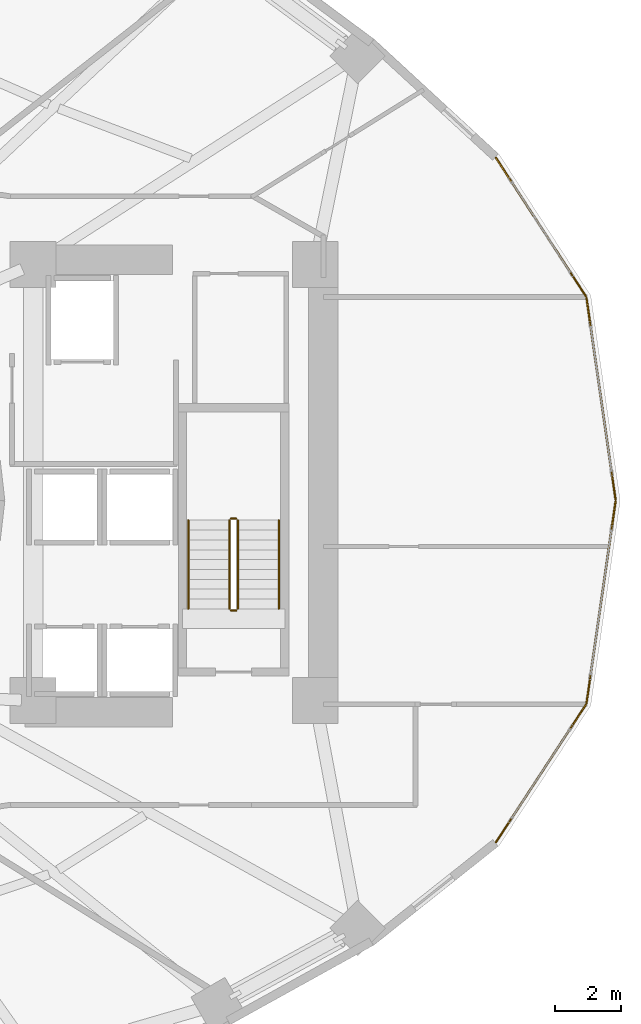
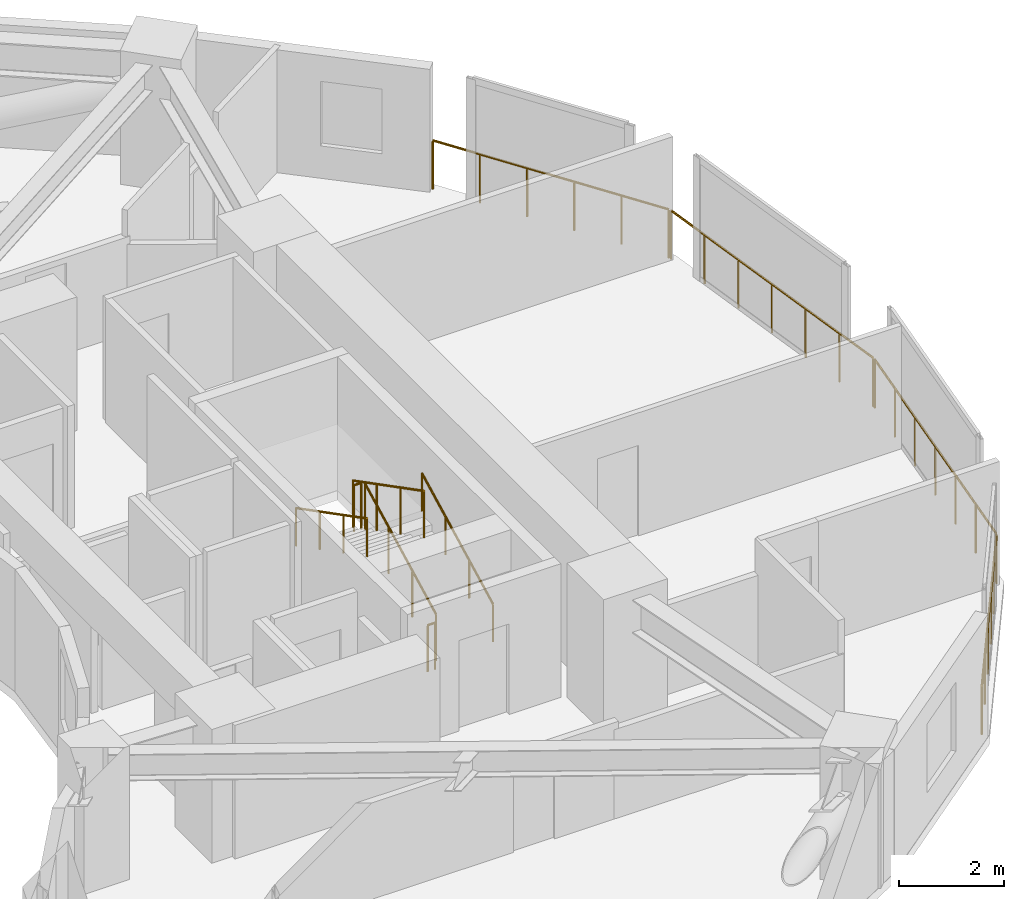
# One storey, part 13 of 14: 10 railings.
"""IFC4 building model written with IfcOpenShell, lengths in metres."""

import ifcopenshell
import ifcopenshell.guid

model = None  # the IFC model being written
_history = None  # IfcOwnerHistory: only IFC2X3 demands one
_inside = {}  # id of a spatial element -> (the spatial element, [elements in it])
_under = {}  # id of a project, library or spatial element -> (it, [spatial elements below it])
_declared = {}  # id of a project -> (the project, [libraries it declares])
_typed = {}  # id of a type object -> (the type object, [elements of that type])
_made_of = {}  # id of a material, layer set ... -> (it, [elements and type objects made of it])


def new_model(schema):
    """Start an empty IFC model of exactly this schema.

    Asked for "IFC4X3", IfcOpenShell would pick the latest addendum, in which some entities
    have other attributes; the version numbers below select the first issue.
    IFC2X3 requires an IfcOwnerHistory on every rooted entity: one is made here for all.
    """
    global model, _history
    if schema == "IFC4X3":
        model = ifcopenshell.file(schema_version=(4, 3, 0, 0))
    else:
        model = ifcopenshell.file(schema=schema)
    _inside.clear()
    _under.clear()
    _declared.clear()
    _typed.clear()
    _made_of.clear()
    _history = None
    if model.schema == "IFC2X3":
        org = make("IfcOrganization", Name="unknown")
        user = make(
            "IfcPersonAndOrganization",
            ThePerson=make("IfcPerson", FamilyName="unknown"),
            TheOrganization=org,
        )
        app = make(
            "IfcApplication",
            ApplicationDeveloper=org,
            Version="unknown",
            ApplicationFullName="unknown",
            ApplicationIdentifier="unknown",
        )
        _history = make(
            "IfcOwnerHistory",
            OwningUser=user,
            OwningApplication=app,
            ChangeAction="ADDED",
            CreationDate=0,
        )
    return model


def make(cls, **values):
    """One entity of the class cls with the attributes given. An attribute that is None is left unset."""
    return model.create_entity(
        cls, **{name: value for name, value in values.items() if value is not None}
    )


def rooted(cls, **values):
    """An entity with a GlobalId (a new one), such as an element, a storey or a relation."""
    return make(cls, GlobalId=ifcopenshell.guid.new(), OwnerHistory=_history, **values)


def si_unit(unit_type, name, prefix=None):
    """IfcSIUnit, for example si_unit("LENGTHUNIT", "METRE", prefix="MILLI")."""
    return make("IfcSIUnit", UnitType=unit_type, Prefix=prefix, Name=name)


def assignment(units):
    """IfcUnitAssignment: the units of a project."""
    return None if units is None else make("IfcUnitAssignment", Units=units)


def point(xyz):
    """IfcCartesianPoint."""
    return None if xyz is None else make("IfcCartesianPoint", Coordinates=xyz)


def direction(xyz):
    """IfcDirection."""
    return None if xyz is None else make("IfcDirection", DirectionRatios=xyz)


def frame(location, z_axis=None, x_axis=None):
    """IfcAxis2Placement3D, a coordinate frame: its origin and axes. An axis left out is left unset."""
    return make(
        "IfcAxis2Placement3D",
        Location=point(location),
        Axis=direction(z_axis),
        RefDirection=direction(x_axis),
    )


def frame_2d(location, x_axis=None):
    """IfcAxis2Placement2D, a coordinate frame in the plane: its origin and x axis."""
    return make(
        "IfcAxis2Placement2D", Location=point(location), RefDirection=direction(x_axis)
    )


def origin():
    """The frame at (0, 0, 0) with its axes left unset."""
    return frame((0.0, 0.0, 0.0))


def origin_2d():
    """The frame at (0, 0) in the plane with its x axis left unset."""
    return frame_2d((0.0, 0.0))


def place(relative_to, where):
    """IfcLocalPlacement: puts the frame where relative to a parent placement (None: the world)."""
    return make(
        "IfcLocalPlacement", PlacementRelTo=relative_to, RelativePlacement=where
    )


def context(
    kind, dimensions, precision=None, world=None, true_north=None, identifier=None
):
    """IfcGeometricRepresentationContext, for example the 3D "Model" context."""
    return make(
        "IfcGeometricRepresentationContext",
        ContextIdentifier=identifier,
        ContextType=kind,
        CoordinateSpaceDimension=dimensions,
        Precision=precision,
        WorldCoordinateSystem=world,
        TrueNorth=true_north,
    )


def subcontext(parent, identifier, kind, view, scale=None):
    """IfcGeometricRepresentationSubContext, for example "Body" below "Model"."""
    return make(
        "IfcGeometricRepresentationSubContext",
        ContextIdentifier=identifier,
        ContextType=kind,
        ParentContext=parent,
        TargetScale=scale,
        TargetView=view,
    )


def project(units=None, contexts=None):
    """IfcProject with its units and contexts."""
    return rooted(
        "IfcProject",
        Name="project",
        RepresentationContexts=contexts,
        UnitsInContext=assignment(units),
    )


def spatial(cls, under=None, at=None, **own):
    """A site, building, storey or space (cls), placed at a placement, below another one or the project."""
    s = rooted(cls, ObjectPlacement=at, **own)
    if under is not None:
        _under.setdefault(under.id(), (under, []))[1].append(s)
    return s


def profile(cls, at=None, kind="AREA", **sizes):
    """A parametric profile (cls). Its sizes go by their IFC names, for example OverallWidth=200.0."""
    return make(cls, ProfileType=kind, Position=at, **sizes)


def circle(**sizes):
    """IfcCircleProfileDef."""
    return profile("IfcCircleProfileDef", **sizes)


def extrude(swept, where, along, depth):
    """IfcExtrudedAreaSolid: the profile swept, set in the frame where, extruded along a direction by depth."""
    return make(
        "IfcExtrudedAreaSolid",
        SweptArea=swept,
        Position=where,
        ExtrudedDirection=direction(along),
        Depth=depth,
    )


def shape(context_of_items, identifier, shape_type, items):
    """IfcShapeRepresentation: the items that make up one representation, for example the "Body"."""
    return make(
        "IfcShapeRepresentation",
        ContextOfItems=context_of_items,
        RepresentationIdentifier=identifier,
        RepresentationType=shape_type,
        Items=items,
    )


def material(Name=None, Category=None):
    """IfcMaterial."""
    return make("IfcMaterial", Name=Name, Category=Category)


def made_of(thing, what):
    """Note that an element or type object is made of a material, layer set ...; save() writes the relation."""
    if what is not None:
        _made_of.setdefault(what.id(), (what, []))[1].append(thing)
    return thing


def type_object(cls, material=None, **own):
    """A type object (cls), such as IfcWallType, which elements share."""
    return made_of(rooted(cls, **own), material)


def element(
    cls,
    number,
    at=None,
    inside=None,
    cuts=None,
    type_object=None,
    material=None,
    context=None,
    identifier="Body",
    shape_type=None,
    held_by="IfcProductDefinitionShape",
    body=None,
    shapes=None,
    **own,
):
    """One element of the class cls, such as IfcWall. Its Tag is "e" and its number.

    at: its placement. inside: the storey or other place that contains it. cuts: it is an
    opening in that element (IfcRelVoidsElement). A single representation is given by context,
    identifier, shape_type and body (its items); several are given by shapes. held_by: the class
    of the entity that holds the representations. save() writes the other relations.
    """
    e = rooted(cls, Tag="e%d" % number, ObjectPlacement=at, **own)
    if body is not None:
        shapes = [shape(context, identifier, shape_type, body)]
    if shapes is not None:
        e.Representation = make(held_by, Representations=shapes)
    if inside is not None:
        _inside.setdefault(inside.id(), (inside, []))[1].append(e)
    if cuts is not None:
        rooted(
            "IfcRelVoidsElement", RelatingBuildingElement=cuts, RelatedOpeningElement=e
        )
    if type_object is not None:
        _typed.setdefault(type_object.id(), (type_object, []))[1].append(e)
    return made_of(e, material)


def aggregate(whole, parts):
    """IfcRelAggregates: a whole, such as a stair, and the parts it consists of."""
    return rooted("IfcRelAggregates", RelatingObject=whole, RelatedObjects=parts)


def save(model, path):
    """Write the relations noted so far, then the file.

    IfcRelAggregates (storeys below a building ...), IfcRelContainedInSpatialStructure (elements
    in a storey), IfcRelDefinesByType, IfcRelAssociatesMaterial and IfcRelDeclares: one each for
    every whole, place, type object, material and project.
    """
    for whole, parts in _under.values():
        aggregate(whole, parts)
    for where, things in _inside.values():
        rooted(
            "IfcRelContainedInSpatialStructure",
            RelatedElements=things,
            RelatingStructure=where,
        )
    for kind, things in _typed.values():
        rooted("IfcRelDefinesByType", RelatedObjects=things, RelatingType=kind)
    for what, things in _made_of.values():
        rooted("IfcRelAssociatesMaterial", RelatedObjects=things, RelatingMaterial=what)
    for by, libraries in _declared.values():
        rooted("IfcRelDeclares", RelatingContext=by, RelatedDefinitions=libraries)
    model.write(path)


model = new_model("IFC4")

# Units and contexts
model_context = context("Model", 3, precision=1e-05, world=origin(), true_north=direction((0.0, 1.0)))
body_context = subcontext(model_context, "Body", "Model", "MODEL_VIEW")
ifc_project = project(units=[si_unit("LENGTHUNIT", "METRE"), si_unit("AREAUNIT", "SQUARE_METRE"), si_unit("VOLUMEUNIT", "CUBIC_METRE"), si_unit("PLANEANGLEUNIT", "RADIAN"), si_unit("MASSUNIT", "GRAM", prefix="KILO")], contexts=[model_context])

# Site, building, storey
site_placement = place(None, origin())
site = spatial("IfcSite", under=ifc_project, at=site_placement, CompositionType="ELEMENT")
building_placement = place(site_placement, origin())
building = spatial("IfcBuilding", under=site, at=building_placement, Name="Solvane Sanctuary Tower", CompositionType="ELEMENT")
storey_placement = place(building_placement, frame((0.0, 0.0, 40.0)))
storey = spatial("IfcBuildingStorey", under=building, at=storey_placement, Name="L11", CompositionType="ELEMENT", Elevation=40.0)

# Railings
ifc_material = material(Name="Architectural Stainless Steel 316", Category="steel")
railing_type_1 = type_object("IfcRailingType", Name="Railing GR-BALC-1150", PredefinedType="BALUSTRADE", material=ifc_material)
railing_1_placement = place(storey_placement, frame((57.855712890625, 23.02978515625, 0.0)))
element("IfcRailing", 1, at=railing_1_placement, inside=storey, type_object=railing_type_1, Name="L11 Curtain-Wall Perimeter Sill Guard 00", PredefinedType="BALUSTRADE", context=body_context, shape_type="SweptSolid", body=[
    extrude(circle(Radius=0.02392578125, at=origin_2d()), frame((0.0, 0.0, 1.1259765625), z_axis=(-0.142533222758, 0.989790018342, 0.0), x_axis=(-0.989790018342, -0.142533222758, 0.0)), (0.0, 0.0, 1.0), 6.209228515625),
    extrude(circle(Radius=0.02099609375, at=origin_2d()), origin(), (0.0, 0.0, 1.0), 1.101806640625),
    extrude(circle(Radius=0.02099609375, at=origin_2d()), frame((-0.1474609375, 1.0244140625, 0.0)), (0.0, 0.0, 1.0), 1.101806640625),
    extrude(circle(Radius=0.02099609375, at=origin_2d()), frame((-0.294921875, 2.048583984375, 0.0)), (0.0, 0.0, 1.0), 1.101806640625),
    extrude(circle(Radius=0.02099609375, at=origin_2d()), frame((-0.4423828125, 3.07275390625, 0.0)), (0.0, 0.0, 1.0), 1.101806640625),
    extrude(circle(Radius=0.02099609375, at=origin_2d()), frame((-0.590087890625, 4.09716796875, 0.0)), (0.0, 0.0, 1.0), 1.101806640625),
    extrude(circle(Radius=0.02099609375, at=origin_2d()), frame((-0.737548828125, 5.12158203125, 0.0)), (0.0, 0.0, 1.0), 1.101806640625),
    extrude(circle(Radius=0.02099609375, at=origin_2d()), frame((-0.885009765625, 6.145751953125, 0.0)), (0.0, 0.0, 1.0), 1.101806640625),
])
railing_2_placement = place(storey_placement, frame((56.9501953125, 29.23046875, 0.0)))
element("IfcRailing", 2, at=railing_2_placement, inside=storey, type_object=railing_type_1, Name="L11 Curtain-Wall Perimeter Sill Guard 01", PredefinedType="BALUSTRADE", context=body_context, shape_type="SweptSolid", body=[
    extrude(circle(Radius=0.02392578125, at=origin_2d()), frame((0.0, 0.0, 1.1259765625), z_axis=(-0.54457042474, 0.838715119989, 0.0), x_axis=(-0.838715119989, -0.54457042474, 0.0)), (0.0, 0.0, 1.0), 5.031494140625),
    extrude(circle(Radius=0.02099609375, at=origin_2d()), origin(), (0.0, 0.0, 1.0), 1.101806640625),
    extrude(circle(Radius=0.02099609375, at=origin_2d()), frame((-0.548095703125, 0.843994140625, 0.0)), (0.0, 0.0, 1.0), 1.101806640625),
    extrude(circle(Radius=0.02099609375, at=origin_2d()), frame((-1.095947265625, 1.68798828125, 0.0)), (0.0, 0.0, 1.0), 1.101806640625),
    extrude(circle(Radius=0.02099609375, at=origin_2d()), frame((-1.64404296875, 2.531982421875, 0.0)), (0.0, 0.0, 1.0), 1.101806640625),
    extrude(circle(Radius=0.02099609375, at=origin_2d()), frame((-2.19189453125, 3.3759765625, 0.0)), (0.0, 0.0, 1.0), 1.101806640625),
    extrude(circle(Radius=0.02099609375, at=origin_2d()), frame((-2.739990234375, 4.219970703125, 0.0)), (0.0, 0.0, 1.0), 1.101806640625),
])
railing_3_placement = place(storey_placement, frame((54.210205078125, 12.583984375, 0.0)))
element("IfcRailing", 3, at=railing_3_placement, inside=storey, type_object=railing_type_1, Name="L11 Curtain-Wall Perimeter Sill Guard 22", PredefinedType="BALUSTRADE", context=body_context, shape_type="SweptSolid", body=[
    extrude(circle(Radius=0.02392578125, at=origin_2d()), frame((0.0, 0.0, 1.1259765625), z_axis=(0.547709489546, 0.836668581376, 0.0), x_axis=(-0.836668581376, 0.547709489546, 0.0)), (0.0, 0.0, 1.0), 5.002685546875),
    extrude(circle(Radius=0.02099609375, at=origin_2d()), origin(), (0.0, 0.0, 1.0), 1.101806640625),
    extrude(circle(Radius=0.02099609375, at=origin_2d()), frame((0.548095703125, 0.837158203125, 0.0)), (0.0, 0.0, 1.0), 1.101806640625),
    extrude(circle(Radius=0.02099609375, at=origin_2d()), frame((1.095947265625, 1.67431640625, 0.0)), (0.0, 0.0, 1.0), 1.101806640625),
    extrude(circle(Radius=0.02099609375, at=origin_2d()), frame((1.64404296875, 2.51123046875, 0.0)), (0.0, 0.0, 1.0), 1.101806640625),
    extrude(circle(Radius=0.02099609375, at=origin_2d()), frame((2.19189453125, 3.348388671875, 0.0)), (0.0, 0.0, 1.0), 1.101806640625),
    extrude(circle(Radius=0.02099609375, at=origin_2d()), frame((2.739990234375, 4.185546875, 0.0)), (0.0, 0.0, 1.0), 1.101806640625),
])
railing_4_placement = place(storey_placement, frame((56.970703125, 16.824462890625, 0.0)))
element("IfcRailing", 4, at=railing_4_placement, inside=storey, type_object=railing_type_1, Name="L11 Curtain-Wall Perimeter Sill Guard 23", PredefinedType="BALUSTRADE", context=body_context, shape_type="SweptSolid", body=[
    extrude(circle(Radius=0.02392578125, at=origin_2d()), frame((0.0, 0.0, 1.1259765625), z_axis=(0.142533222758, 0.989790018342, 0.0), x_axis=(-0.989790018342, 0.142533222758, 0.0)), (0.0, 0.0, 1.0), 6.209228515625),
    extrude(circle(Radius=0.02099609375, at=origin_2d()), origin(), (0.0, 0.0, 1.0), 1.101806640625),
    extrude(circle(Radius=0.02099609375, at=origin_2d()), frame((0.1474609375, 1.0244140625, 0.0)), (0.0, 0.0, 1.0), 1.101806640625),
    extrude(circle(Radius=0.02099609375, at=origin_2d()), frame((0.294921875, 2.048583984375, 0.0)), (0.0, 0.0, 1.0), 1.101806640625),
    extrude(circle(Radius=0.02099609375, at=origin_2d()), frame((0.4423828125, 3.07275390625, 0.0)), (0.0, 0.0, 1.0), 1.101806640625),
    extrude(circle(Radius=0.02099609375, at=origin_2d()), frame((0.590087890625, 4.09716796875, 0.0)), (0.0, 0.0, 1.0), 1.101806640625),
    extrude(circle(Radius=0.02099609375, at=origin_2d()), frame((0.737548828125, 5.12158203125, 0.0)), (0.0, 0.0, 1.0), 1.101806640625),
    extrude(circle(Radius=0.02099609375, at=origin_2d()), frame((0.885009765625, 6.145751953125, 0.0)), (0.0, 0.0, 1.0), 1.101806640625),
])
railing_5_placement = place(storey_placement, frame((46.340087890625, 19.699951171875, 0.155029296875)))
element("IfcRailing", 5, at=railing_5_placement, inside=storey, type_object=railing_type_1, Name="L11 ST-2 stair guard 1", PredefinedType="BALUSTRADE", context=body_context, shape_type="SweptSolid", body=[
    extrude(circle(Radius=0.02392578125, at=origin_2d()), frame((0.0, 0.0, 1.076171875), z_axis=(0.0, 0.888419900624, 0.459031676658), x_axis=(-1.0, 0.0, 0.0)), (0.0, 0.0, 1.0), 3.0390625),
    extrude(circle(Radius=0.02099609375, at=origin_2d()), origin(), (0.0, 0.0, 1.0), 1.052001953125),
    extrude(circle(Radius=0.02099609375, at=origin_2d()), frame((0.0, 0.89990234375, 0.465087890625)), (0.0, 0.0, 1.0), 1.052001953125),
    extrude(circle(Radius=0.02099609375, at=origin_2d()), frame((0.0, 1.800048828125, 0.929931640625)), (0.0, 0.0, 1.0), 1.052001953125),
    extrude(circle(Radius=0.02099609375, at=origin_2d()), frame((0.0, 2.699951171875, 1.39501953125)), (0.0, 0.0, 1.0), 1.052001953125),
])
railing_6_placement = place(storey_placement, frame((46.2900390625, 22.449951171875, 1.550048828125)))
element("IfcRailing", 6, at=railing_6_placement, inside=storey, type_object=railing_type_1, Name="L11 ST-2 stair guard 2", PredefinedType="BALUSTRADE", context=body_context, shape_type="SweptSolid", body=[
    extrude(circle(Radius=0.02392578125, at=origin_2d()), frame((0.0, 0.0, 1.076171875), z_axis=(-1.0, 0.0, 0.0), x_axis=(0.0, -1.0, 0.0)), (0.0, 0.0, 1.0), 0.16015625),
    extrude(circle(Radius=0.02099609375, at=origin_2d()), origin(), (0.0, 0.0, 1.0), 1.052001953125),
    extrude(circle(Radius=0.02099609375, at=origin_2d()), frame((-0.16015625, 0.0, 0.0)), (0.0, 0.0, 1.0), 1.052001953125),
])
railing_7_placement = place(storey_placement, frame((46.080078125, 22.39990234375, 1.705078125)))
element("IfcRailing", 7, at=railing_7_placement, inside=storey, type_object=railing_type_1, Name="L11 ST-2 stair guard 3", PredefinedType="BALUSTRADE", context=body_context, shape_type="SweptSolid", body=[
    extrude(circle(Radius=0.02392578125, at=origin_2d()), frame((0.0, 0.0, 1.076171875), z_axis=(0.0, -0.888419900624, 0.459031676658), x_axis=(1.0, 0.0, 0.0)), (0.0, 0.0, 1.0), 3.0390625),
    extrude(circle(Radius=0.02099609375, at=origin_2d()), origin(), (0.0, 0.0, 1.0), 1.052001953125),
    extrude(circle(Radius=0.02099609375, at=origin_2d()), frame((0.0, -0.89990234375, 0.465087890625)), (0.0, 0.0, 1.0), 1.052001953125),
    extrude(circle(Radius=0.02099609375, at=origin_2d()), frame((0.0, -1.800048828125, 0.929931640625)), (0.0, 0.0, 1.0), 1.052001953125),
    extrude(circle(Radius=0.02099609375, at=origin_2d()), frame((0.0, -2.699951171875, 1.39501953125)), (0.0, 0.0, 1.0), 1.052001953125),
])
railing_8_placement = place(storey_placement, frame((46.2900390625, 19.64990234375, 0.0)))
element("IfcRailing", 8, at=railing_8_placement, inside=storey, type_object=railing_type_1, Name="L11 ST-2 stair guard 4", PredefinedType="BALUSTRADE", context=body_context, shape_type="SweptSolid", body=[
    extrude(circle(Radius=0.02392578125, at=origin_2d()), frame((0.0, 0.0, 1.076171875), z_axis=(-1.0, 0.0, 0.0), x_axis=(0.0, -1.0, 0.0)), (0.0, 0.0, 1.0), 0.16015625),
    extrude(circle(Radius=0.02099609375, at=origin_2d()), origin(), (0.0, 0.0, 1.0), 1.052001953125),
    extrude(circle(Radius=0.02099609375, at=origin_2d()), frame((-0.16015625, 0.0, 0.0)), (0.0, 0.0, 1.0), 1.052001953125),
])
railing_type_2 = type_object("IfcRailingType", Name="Railing HR-STAIR-920", PredefinedType="HANDRAIL", material=ifc_material)
railing_9_placement = place(storey_placement, frame((47.590087890625, 19.699951171875, 0.155029296875)))
element("IfcRailing", 9, at=railing_9_placement, inside=storey, type_object=railing_type_2, Name="L11 ST-2 stair handrail 1", PredefinedType="HANDRAIL", context=body_context, shape_type="SweptSolid", body=[
    extrude(circle(Radius=0.02392578125, at=origin_2d()), frame((0.0, 0.0, 0.8759765625), z_axis=(0.0, 0.888419900624, 0.459031676658), x_axis=(-1.0, 0.0, 0.0)), (0.0, 0.0, 1.0), 3.0390625),
    extrude(circle(Radius=0.02099609375, at=origin_2d()), origin(), (0.0, 0.0, 1.0), 0.851806640625),
    extrude(circle(Radius=0.02099609375, at=origin_2d()), frame((0.0, 0.89990234375, 0.465087890625)), (0.0, 0.0, 1.0), 0.851806640625),
    extrude(circle(Radius=0.02099609375, at=origin_2d()), frame((0.0, 1.800048828125, 0.929931640625)), (0.0, 0.0, 1.0), 0.851806640625),
    extrude(circle(Radius=0.02099609375, at=origin_2d()), frame((0.0, 2.699951171875, 1.39501953125)), (0.0, 0.0, 1.0), 0.851806640625),
])
railing_10_placement = place(storey_placement, frame((44.830078125, 22.39990234375, 1.705078125)))
element("IfcRailing", 10, at=railing_10_placement, inside=storey, type_object=railing_type_2, Name="L11 ST-2 stair handrail 2", PredefinedType="HANDRAIL", context=body_context, shape_type="SweptSolid", body=[
    extrude(circle(Radius=0.02392578125, at=origin_2d()), frame((0.0, 0.0, 0.8759765625), z_axis=(0.0, -0.888419900624, 0.459031676658), x_axis=(1.0, 0.0, 0.0)), (0.0, 0.0, 1.0), 3.0390625),
    extrude(circle(Radius=0.02099609375, at=origin_2d()), origin(), (0.0, 0.0, 1.0), 0.851806640625),
    extrude(circle(Radius=0.02099609375, at=origin_2d()), frame((0.0, -0.89990234375, 0.465087890625)), (0.0, 0.0, 1.0), 0.851806640625),
    extrude(circle(Radius=0.02099609375, at=origin_2d()), frame((0.0, -1.800048828125, 0.929931640625)), (0.0, 0.0, 1.0), 0.851806640625),
    extrude(circle(Radius=0.02099609375, at=origin_2d()), frame((0.0, -2.699951171875, 1.39501953125)), (0.0, 0.0, 1.0), 0.851806640625),
])

save(model, "model.ifc")
